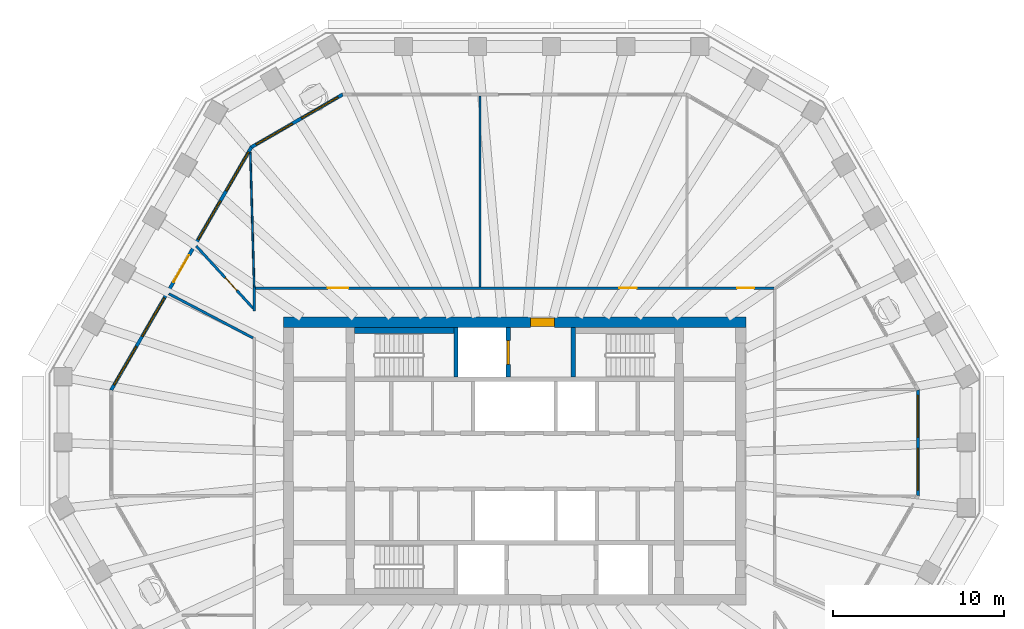
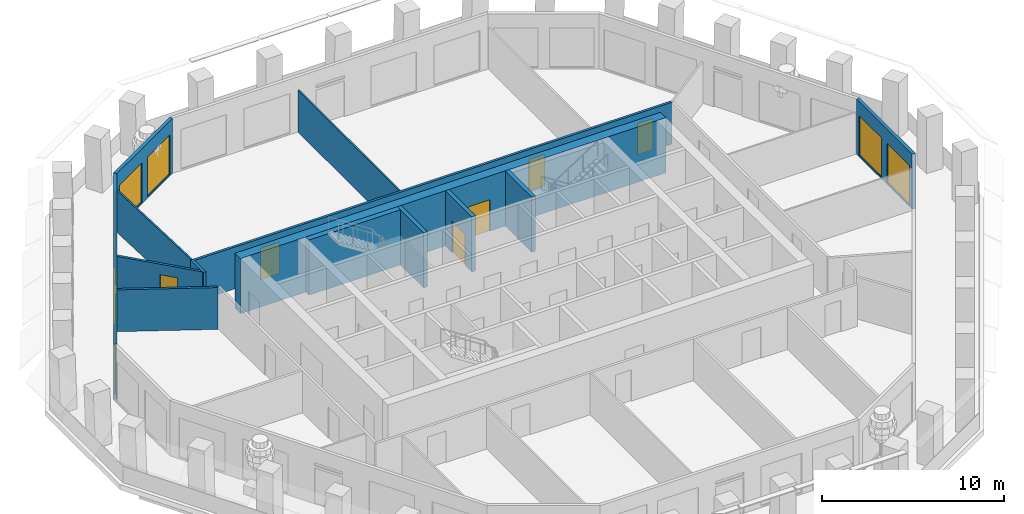
# One storey, part 7 of 12: 14 walls, 9 windows, 7 doors, 16 openings.
"""IFC4 building model written with IfcOpenShell, lengths in metres."""

from ifc_helpers import new_model, si_unit, direction, frame, frame_2d, origin, place, context, subcontext, project, spatial, polyline, rectangle, outline, extrude, material, layer, layer_set, type_object, element, fill, save


model = new_model("IFC4")

# Units and contexts
model_context = context("Model", 3, precision=1e-05, world=origin(), true_north=direction((0.0, 1.0)))
body_context = subcontext(model_context, "Body", "Model", "MODEL_VIEW")
ifc_project = project(units=[si_unit("LENGTHUNIT", "METRE"), si_unit("AREAUNIT", "SQUARE_METRE"), si_unit("VOLUMEUNIT", "CUBIC_METRE"), si_unit("PLANEANGLEUNIT", "RADIAN"), si_unit("MASSUNIT", "GRAM", prefix="KILO")], contexts=[model_context])

# Site, building, storey
site_placement = place(None, origin())
site = spatial("IfcSite", under=ifc_project, at=site_placement, CompositionType="ELEMENT")
building_placement = place(site_placement, origin())
building = spatial("IfcBuilding", under=site, at=building_placement, Name="Frailejon Research Tower", CompositionType="ELEMENT")
storey_placement = place(building_placement, frame((0.0, 0.0, 245.39990234375)))
storey = spatial("IfcBuildingStorey", under=building, at=storey_placement, Name="L53", CompositionType="ELEMENT", Elevation=245.39990234375)

# Wall, opening, door
ifc_material_1 = material(Name="Concrete C60/75", Category="concrete")
ifc_layer_1 = layer(ifc_material_1, 0.60009765625)
ifc_layer_set_1 = layer_set([ifc_layer_1], Name="Core shear wall 600 C60/75")
wall_type_1 = type_object("IfcWallType", Name="Core shear wall 600 C60/75", PredefinedType="SHEAR", material=ifc_layer_set_1)
wall_1_placement = place(storey_placement, frame((-13.5, 8.10009765625, 0.0), z_axis=(0.0, 0.0, 1.0), x_axis=(1.0, 0.0, 0.0)))
wall_1 = element("IfcWall", 1, at=wall_1_placement, inside=storey, type_object=wall_type_1, Name="Core shear wall", PredefinedType="SHEAR", context=body_context, shape_type="SweptSolid", body=[
    extrude(rectangle(XDim=27.0, YDim=0.60009765625, at=frame_2d((13.5, 0.0))), origin(), (0.0, 0.0, 1.0), 3.7001953125),
])
opening_1_placement = place(wall_1_placement, frame((14.425048828125, 0.0, 0.0)))
opening_1 = element("IfcOpeningElement", 2, at=opening_1_placement, cuts=wall_1, Name="Opening D9", PredefinedType="OPENING", context=body_context, shape_type="SweptSolid", body=[
    extrude(rectangle(XDim=1.39990234375, YDim=2.10009765625, at=frame_2d((0.699951171875, 1.050048828125))), frame((0.0, 0.31005859375, 0.0), z_axis=(0.0, -1.0, 0.0), x_axis=(1.0, 0.0, 0.0)), (0.0, 0.0, 1.0), 0.6201171875),
])
ifc_material_2 = material(Name="Steel", Category="steel")
door_type_1 = type_object("IfcDoorType", Name="Goods lobby door", OperationType="DOUBLE_DOOR_SINGLE_SWING", PredefinedType="DOOR", material=ifc_material_2)
door_1_placement = place(opening_1_placement, origin())
door_1 = element("IfcDoor", 3, at=door_1_placement, inside=storey, type_object=door_type_1, Name="Goods lobby door", OperationType="DOUBLE_DOOR_SINGLE_SWING", OverallHeight=2.10009765625, OverallWidth=1.39990234375, PredefinedType="DOOR", context=body_context, shape_type="SweptSolid", body=[
    extrude(rectangle(XDim=1.39990234375, YDim=2.10009765625, at=frame_2d((0.699951171875, 1.050048828125))), frame((0.0, 0.25, 0.0), z_axis=(0.0, -1.0, 0.0), x_axis=(1.0, 0.0, 0.0)), (0.0, 0.0, 1.0), 0.5),
])
fill(opening_1, door_1)

ifc_material_3 = material(Name="Gypsum board and masonry partition", Category="masonry")
ifc_layer_2 = layer(ifc_material_3, 0.14990234375)
ifc_layer_set_2 = layer_set([ifc_layer_2], Name="Corridor wall EI 60, gypsum on steel studs 150")
wall_type_2 = type_object("IfcWallType", Name="Corridor wall EI 60, gypsum on steel studs 150", PredefinedType="PARTITIONING", material=ifc_layer_set_2)
wall_2_placement = place(storey_placement, frame((-18.58203125, 12.552001953125, 0.0), z_axis=(0.0, 0.0, 1.0), x_axis=(0.674506078273, -0.738269293939, 0.0)))
wall_2 = element("IfcWall", 4, at=wall_2_placement, inside=storey, type_object=wall_type_2, Name="T:IW:L53:001", PredefinedType="PARTITIONING", context=body_context, shape_type="SweptSolid", body=[
    extrude(rectangle(XDim=4.939208984375, YDim=0.14990234375, at=frame_2d((2.4697265625, 0.0))), origin(), (0.0, 0.0, 1.0), 2.800048828125),
])
opening_2_placement = place(wall_2_placement, frame((2.504150390625, 0.0, 0.0)))
opening_2 = element("IfcOpeningElement", 5, at=opening_2_placement, cuts=wall_2, Name="Opening D2041", PredefinedType="OPENING", context=body_context, shape_type="SweptSolid", body=[
    extrude(rectangle(XDim=1.0, YDim=2.10009765625, at=frame_2d((0.5, 1.050048828125))), frame((0.0, 0.0849609375, 0.0), z_axis=(0.0, -1.0, 0.0), x_axis=(1.0, 0.0, 0.0)), (0.0, 0.0, 1.0), 0.169921875),
])
ifc_material_4 = material(Name="Timber door leaf", Category="wood")
door_type_2 = type_object("IfcDoorType", Name="Door single leaf, timber, steel frame 1000", OperationType="NOTDEFINED", PredefinedType="DOOR", material=ifc_material_4)
door_2_placement = place(opening_2_placement, origin())
door_2 = element("IfcDoor", 6, at=door_2_placement, inside=storey, type_object=door_type_2, Name="D2041", OperationType="SINGLE_SWING_RIGHT", OverallHeight=2.10009765625, OverallWidth=1.0, PredefinedType="DOOR", context=body_context, shape_type="SweptSolid", body=[
    extrude(rectangle(XDim=1.0, YDim=2.10009765625, at=frame_2d((0.5, 1.050048828125))), frame((0.0, 0.02490234375, 0.0), z_axis=(0.0, -1.0, 0.0), x_axis=(1.0, 0.0, 0.0)), (0.0, 0.0, 1.0), 0.050048828125),
])
fill(opening_2, door_2)

# Wall
wall_3_placement = place(storey_placement, frame((-20.18896484375, 9.768798828125, 0.0), z_axis=(0.0, 0.0, 1.0), x_axis=(0.885426366371, -0.464779678702, 0.0)))
element("IfcWall", 7, at=wall_3_placement, inside=storey, type_object=wall_type_2, Name="T:IW:L53:002", PredefinedType="PARTITIONING", context=body_context, shape_type="SweptSolid", body=[
    extrude(rectangle(XDim=5.5595703125, YDim=0.14990234375, at=frame_2d((2.77978515625, 0.0))), origin(), (0.0, 0.0, 1.0), 2.800048828125),
])

# Wall, openings, doors
wall_4_placement = place(storey_placement, frame((-15.125, 10.10009765625, 0.0), z_axis=(0.0, 0.0, 1.0), x_axis=(1.0, 0.0, 0.0)))
wall_4 = element("IfcWall", 8, at=wall_4_placement, inside=storey, type_object=wall_type_2, Name="T:IW:L53:005", PredefinedType="PARTITIONING", context=body_context, shape_type="SweptSolid", body=[
    extrude(rectangle(XDim=30.27490234375, YDim=0.14990234375, at=frame_2d((15.137451171875, 0.0))), origin(), (0.0, 0.0, 1.0), 2.800048828125),
])
opening_3_placement = place(wall_4_placement, frame((28.115966796875, 0.0, 0.0)))
opening_3 = element("IfcOpeningElement", 9, at=opening_3_placement, cuts=wall_4, Name="Opening D2038", PredefinedType="OPENING", context=body_context, shape_type="SweptSolid", body=[
    extrude(rectangle(XDim=1.0, YDim=2.10009765625, at=frame_2d((0.5, 1.050048828125))), frame((0.0, 0.0849609375, 0.0), z_axis=(0.0, -1.0, 0.0), x_axis=(1.0, 0.0, 0.0)), (0.0, 0.0, 1.0), 0.169921875),
])
opening_4_placement = place(wall_4_placement, frame((21.244384765625, 0.0, 0.0)))
opening_4 = element("IfcOpeningElement", 10, at=opening_4_placement, cuts=wall_4, Name="Opening D2039", PredefinedType="OPENING", context=body_context, shape_type="SweptSolid", body=[
    extrude(rectangle(XDim=1.0, YDim=2.10009765625, at=frame_2d((0.5, 1.050048828125))), frame((0.0, 0.0849609375, 0.0), z_axis=(0.0, -1.0, 0.0), x_axis=(1.0, 0.0, 0.0)), (0.0, 0.0, 1.0), 0.169921875),
])
opening_5_placement = place(wall_4_placement, frame((4.2255859375, 0.0, 0.0)))
opening_5 = element("IfcOpeningElement", 11, at=opening_5_placement, cuts=wall_4, Name="Opening D2040", PredefinedType="OPENING", context=body_context, shape_type="SweptSolid", body=[
    extrude(rectangle(XDim=1.199951171875, YDim=2.10009765625, at=frame_2d((0.60009765625, 1.050048828125))), frame((0.0, 0.0849609375, 0.0), z_axis=(0.0, -1.0, 0.0), x_axis=(1.0, 0.0, 0.0)), (0.0, 0.0, 1.0), 0.169921875),
])
door_3_placement = place(opening_3_placement, origin())
door_3 = element("IfcDoor", 12, at=door_3_placement, inside=storey, type_object=door_type_2, Name="D2038", OperationType="SINGLE_SWING_LEFT", OverallHeight=2.10009765625, OverallWidth=1.0, PredefinedType="DOOR", context=body_context, shape_type="SweptSolid", body=[
    extrude(rectangle(XDim=1.0, YDim=2.10009765625, at=frame_2d((0.5, 1.050048828125))), frame((0.0, 0.02490234375, 0.0), z_axis=(0.0, -1.0, 0.0), x_axis=(1.0, 0.0, 0.0)), (0.0, 0.0, 1.0), 0.050048828125),
])
fill(opening_3, door_3)
door_4_placement = place(opening_4_placement, origin())
door_4 = element("IfcDoor", 13, at=door_4_placement, inside=storey, type_object=door_type_2, Name="D2039", OperationType="SINGLE_SWING_LEFT", OverallHeight=2.10009765625, OverallWidth=1.0, PredefinedType="DOOR", context=body_context, shape_type="SweptSolid", body=[
    extrude(rectangle(XDim=1.0, YDim=2.10009765625, at=frame_2d((0.5, 1.050048828125))), frame((0.0, 0.02490234375, 0.0), z_axis=(0.0, -1.0, 0.0), x_axis=(1.0, 0.0, 0.0)), (0.0, 0.0, 1.0), 0.050048828125),
])
fill(opening_4, door_4)
ifc_material_5 = material(Name="Timber door leaf", Category="wood")
door_type_3 = type_object("IfcDoorType", Name="Door single leaf, timber, steel frame 1200", OperationType="NOTDEFINED", PredefinedType="DOOR", material=ifc_material_5)
door_5_placement = place(opening_5_placement, origin())
door_5 = element("IfcDoor", 14, at=door_5_placement, inside=storey, type_object=door_type_3, Name="D2040", OperationType="DOUBLE_DOOR_SINGLE_SWING", OverallHeight=2.10009765625, OverallWidth=1.199951171875, PredefinedType="DOOR", context=body_context, shape_type="SweptSolid", body=[
    extrude(rectangle(XDim=1.199951171875, YDim=2.10009765625, at=frame_2d((0.60009765625, 1.050048828125))), frame((0.0, 0.02490234375, 0.0), z_axis=(0.0, -1.0, 0.0), x_axis=(1.0, 0.0, 0.0)), (0.0, 0.0, 1.0), 0.050048828125),
])
fill(opening_5, door_5)

# Walls
wall_5_placement = place(storey_placement, frame((-15.199951171875, 8.77490234375, 0.0), z_axis=(0.0, 0.0, 1.0), x_axis=(0.0, 1.0, 0.0)))
element("IfcWall", 15, at=wall_5_placement, inside=storey, type_object=wall_type_2, Name="T:IW:L53:007", PredefinedType="PARTITIONING", context=body_context, shape_type="SweptSolid", body=[
    extrude(rectangle(XDim=1.400146484375, YDim=0.14990234375, at=frame_2d((0.7001953125, 0.0))), origin(), (0.0, 0.0, 1.0), 2.800048828125),
])
ifc_material_6 = material(Name="Gypsum board and masonry partition", Category="masonry")
ifc_layer_3 = layer(ifc_material_6, 0.10009765625)
ifc_layer_set_3 = layer_set([ifc_layer_3], Name="Partition, gypsum on steel studs 100")
wall_type_3 = type_object("IfcWallType", Name="Partition, gypsum on steel studs 100", PredefinedType="PARTITIONING", material=ifc_layer_set_3)
wall_6_placement = place(storey_placement, frame((-2.0126953125, 10.175048828125, 0.0), z_axis=(0.0, 0.0, 1.0), x_axis=(0.0, 1.0, 0.0)))
element("IfcWall", 16, at=wall_6_placement, inside=storey, type_object=wall_type_3, Name="T:IW:L53:018", PredefinedType="PARTITIONING", context=body_context, shape_type="SweptSolid", body=[
    extrude(rectangle(XDim=11.125, YDim=0.10009765625, at=frame_2d((5.5625, 0.0))), origin(), (0.0, 0.0, 1.0), 2.800048828125),
])
wall_7_placement = place(storey_placement, frame((-15.427490234375, 18.015625, 0.0), z_axis=(0.0, 0.0, 1.0), x_axis=(0.028738506964, -0.999586963809, 0.0)))
element("IfcWall", 17, at=wall_7_placement, inside=storey, type_object=wall_type_3, Name="T:IW:L53:019", PredefinedType="PARTITIONING", context=body_context, shape_type="SweptSolid", body=[
    extrude(rectangle(XDim=7.994140625, YDim=0.10009765625, at=frame_2d((3.9970703125, 0.0))), origin(), (0.0, 0.0, 1.0), 2.800048828125),
])
ifc_material_7 = material(Name="Concrete C60/75", Category="concrete")
ifc_layer_4 = layer(ifc_material_7, 0.25)
ifc_layer_set_4 = layer_set([ifc_layer_4], Name="Shaft wall 250 C60/75")
wall_type_4 = type_object("IfcWallType", Name="Shaft wall 250 C60/75", PredefinedType="SOLIDWALL", material=ifc_layer_set_4)
wall_8_placement = place(storey_placement, frame((-3.425048828125, 4.89990234375, 0.0), z_axis=(0.0, 0.0, 1.0), x_axis=(0.0, 1.0, 0.0)))
element("IfcWall", 18, at=wall_8_placement, inside=storey, type_object=wall_type_4, Name="Shaft wall", PredefinedType="SOLIDWALL", context=body_context, shape_type="SweptSolid", body=[
    extrude(rectangle(XDim=2.900146484375, YDim=0.25, at=frame_2d((1.4501953125, 0.0))), origin(), (0.0, 0.0, 1.0), 3.7001953125),
])

# Wall, opening, door
wall_9_placement = place(storey_placement, frame((-0.375, 4.89990234375, 0.0), z_axis=(0.0, 0.0, 1.0), x_axis=(0.0, 1.0, 0.0)))
wall_9 = element("IfcWall", 19, at=wall_9_placement, inside=storey, type_object=wall_type_4, Name="Shaft wall", PredefinedType="SOLIDWALL", context=body_context, shape_type="SweptSolid", body=[
    extrude(rectangle(XDim=2.900146484375, YDim=0.25, at=frame_2d((1.4501953125, 0.0))), origin(), (0.0, 0.0, 1.0), 3.7001953125),
])
opening_6_placement = place(wall_9_placement, frame((0.75, 0.0, 0.0)))
opening_6 = element("IfcOpeningElement", 20, at=opening_6_placement, cuts=wall_9, Name="Opening LD2", PredefinedType="OPENING", context=body_context, shape_type="SweptSolid", body=[
    extrude(rectangle(XDim=1.39990234375, YDim=2.10009765625, at=frame_2d((0.699951171875, 1.050048828125))), frame((0.0, 0.135009765625, 0.0), z_axis=(0.0, -1.0, 0.0), x_axis=(1.0, 0.0, 0.0)), (0.0, 0.0, 1.0), 0.27001953125),
])
ifc_material_8 = material(Name="Stainless steel", Category="steel")
door_type_4 = type_object("IfcDoorType", Name="Goods landing door", OperationType="DOUBLE_DOOR_SLIDING", PredefinedType="DOOR", material=ifc_material_8)
door_6_placement = place(opening_6_placement, origin())
door_6 = element("IfcDoor", 21, at=door_6_placement, inside=storey, type_object=door_type_4, Name="Lift landing door", OperationType="DOUBLE_DOOR_SLIDING", OverallHeight=2.10009765625, OverallWidth=1.39990234375, PredefinedType="DOOR", context=body_context, shape_type="SweptSolid", body=[
    extrude(rectangle(XDim=1.39990234375, YDim=2.10009765625, at=frame_2d((0.699951171875, 1.050048828125))), frame((0.0, 0.074951171875, 0.0), z_axis=(0.0, -1.0, 0.0), x_axis=(1.0, 0.0, 0.0)), (0.0, 0.0, 1.0), 0.14990234375),
])
fill(opening_6, door_6)

# Walls
wall_10_placement = place(storey_placement, frame((3.425048828125, 4.89990234375, 0.0), z_axis=(0.0, 0.0, 1.0), x_axis=(0.0, 1.0, 0.0)))
element("IfcWall", 22, at=wall_10_placement, inside=storey, type_object=wall_type_4, Name="Shaft wall", PredefinedType="SOLIDWALL", context=body_context, shape_type="SweptSolid", body=[
    extrude(rectangle(XDim=2.900146484375, YDim=0.25, at=frame_2d((1.4501953125, 0.0))), origin(), (0.0, 0.0, 1.0), 3.7001953125),
])
ifc_material_9 = material(Name="Concrete C60/75", Category="concrete")
ifc_layer_5 = layer(ifc_material_9, 0.35009765625)
ifc_layer_set_5 = layer_set([ifc_layer_5], Name="Shaft wall 350 C60/75")
wall_type_5 = type_object("IfcWallType", Name="Shaft wall 350 C60/75", PredefinedType="SOLIDWALL", material=ifc_layer_set_5)
wall_11_placement = place(storey_placement, frame((-9.35009765625, 7.625, 0.0), z_axis=(0.0, 0.0, 1.0), x_axis=(1.0, 0.0, 0.0)))
element("IfcWall", 23, at=wall_11_placement, inside=storey, type_object=wall_type_5, Name="Shaft wall", PredefinedType="SOLIDWALL", context=body_context, shape_type="SweptSolid", body=[
    extrude(rectangle(XDim=5.800048828125, YDim=0.35009765625, at=frame_2d((2.89990234375, 0.0))), origin(), (0.0, 0.0, 1.0), 3.7001953125),
])

# Wall, openings, windows
ifc_material_10 = material(Name="Concrete C40/50 precast window wall panel", Category="concrete")
ifc_layer_6 = layer(ifc_material_10, 0.199951171875)
ifc_layer_set_6 = layer_set([ifc_layer_6], Name="Window wall 200")
wall_type_6 = type_object("IfcWallType", Name="Window wall 200", PredefinedType="SOLIDWALL", material=ifc_layer_set_6)
wall_12_placement = place(storey_placement, frame((23.55126953125, -2.008056640625, 0.0), z_axis=(0.0, 0.0, 1.0), x_axis=(0.0, 1.0, 0.0)))
wall_12 = element("IfcWall", 24, at=wall_12_placement, inside=storey, type_object=wall_type_6, Name="Exterior wall L53", PredefinedType="SOLIDWALL", context=body_context, shape_type="SweptSolid", body=[
    extrude(outline(polyline([(-0.02685546875, -0.10009765625), (1.007568359375, -0.10009765625), (2.0419921875, -0.10009765625), (3.07666015625, -0.10009765625), (4.111083984375, -0.10009765625), (5.1455078125, -0.10009765625), (6.179931640625, -0.10009765625), (6.126220703125, 0.10009765625), (5.109619140625, 0.10009765625), (4.093017578125, 0.10009765625), (3.07666015625, 0.10009765625), (2.06005859375, 0.10009765625), (1.04345703125, 0.10009765625), (0.02685546875, 0.10009765625), (-0.02685546875, -0.10009765625)])), origin(), (0.0, 0.0, 1.0), 3.7001953125),
])
opening_7_placement = place(wall_12_placement, frame((0.313232421875, 0.0, 0.10009765625)))
opening_7 = element("IfcOpeningElement", 25, at=opening_7_placement, cuts=wall_12, Name="Opening W17", PredefinedType="OPENING", context=body_context, shape_type="SweptSolid", body=[
    extrude(rectangle(XDim=2.449951171875, YDim=2.64990234375, at=frame_2d((1.22509765625, 1.324951171875))), frame((0.0, 0.10986328125, 0.0), z_axis=(0.0, -1.0, 0.0), x_axis=(1.0, 0.0, 0.0)), (0.0, 0.0, 1.0), 0.219970703125),
])
opening_8_placement = place(wall_12_placement, frame((3.3896484375, 0.0, 0.10009765625)))
opening_8 = element("IfcOpeningElement", 26, at=opening_8_placement, cuts=wall_12, Name="Opening W17", PredefinedType="OPENING", context=body_context, shape_type="SweptSolid", body=[
    extrude(rectangle(XDim=2.449951171875, YDim=2.64990234375, at=frame_2d((1.22509765625, 1.324951171875))), frame((0.0, 0.10986328125, 0.0), z_axis=(0.0, -1.0, 0.0), x_axis=(1.0, 0.0, 0.0)), (0.0, 0.0, 1.0), 0.219970703125),
])
ifc_material_11 = material(Name="Aluminium framed double glazing", Category="aluminium")
window_type_1 = type_object("IfcWindowType", Name="Window 2450x2650", PartitioningType="SINGLE_PANEL", PredefinedType="WINDOW", material=ifc_material_11)
window_1_placement = place(opening_7_placement, origin())
window_1 = element("IfcWindow", 27, at=window_1_placement, inside=storey, type_object=window_type_1, Name="Window L53", OverallHeight=2.64990234375, OverallWidth=2.449951171875, PartitioningType="SINGLE_PANEL", PredefinedType="WINDOW", context=body_context, shape_type="SweptSolid", body=[
    extrude(rectangle(XDim=2.449951171875, YDim=2.64990234375, at=frame_2d((1.22509765625, 1.324951171875))), frame((0.0, 0.030029296875, 0.0), z_axis=(0.0, -1.0, 0.0), x_axis=(1.0, 0.0, 0.0)), (0.0, 0.0, 1.0), 0.06005859375),
])
fill(opening_7, window_1)
window_2_placement = place(opening_8_placement, origin())
window_2 = element("IfcWindow", 28, at=window_2_placement, inside=storey, type_object=window_type_1, Name="Window L53", OverallHeight=2.64990234375, OverallWidth=2.449951171875, PartitioningType="SINGLE_PANEL", PredefinedType="WINDOW", context=body_context, shape_type="SweptSolid", body=[
    extrude(rectangle(XDim=2.449951171875, YDim=2.64990234375, at=frame_2d((1.22509765625, 1.324951171875))), frame((0.0, 0.030029296875, 0.0), z_axis=(0.0, -1.0, 0.0), x_axis=(1.0, 0.0, 0.0)), (0.0, 0.0, 1.0), 0.06005859375),
])
fill(opening_8, window_2)

wall_13_placement = place(storey_placement, frame((-10.03662109375, 21.39990234375, 0.0), z_axis=(0.0, 0.0, 1.0), x_axis=(-0.866029647142, -0.499992650217, 0.0)))
wall_13 = element("IfcWall", 29, at=wall_13_placement, inside=storey, type_object=wall_type_6, Name="Exterior wall L53", PredefinedType="SOLIDWALL", context=body_context, shape_type="SweptSolid", body=[
    extrude(outline(polyline([(-0.02685546875, -0.10009765625), (1.007568359375, -0.10009765625), (2.0419921875, -0.10009765625), (3.076416015625, -0.10009765625), (4.11083984375, -0.10009765625), (5.145263671875, -0.10009765625), (6.1796875, -0.10009765625), (6.1259765625, 0.10009765625), (5.109375, 0.10009765625), (4.093017578125, 0.10009765625), (3.076416015625, 0.10009765625), (2.059814453125, 0.10009765625), (1.04345703125, 0.10009765625), (0.02685546875, 0.10009765625), (-0.02685546875, -0.10009765625)])), origin(), (0.0, 0.0, 1.0), 3.7001953125),
])
opening_9_placement = place(wall_13_placement, frame((0.313232421875, 0.0, 0.10009765625)))
opening_9 = element("IfcOpeningElement", 30, at=opening_9_placement, cuts=wall_13, Name="Opening W17", PredefinedType="OPENING", context=body_context, shape_type="SweptSolid", body=[
    extrude(rectangle(XDim=2.449951171875, YDim=2.64990234375, at=frame_2d((1.22509765625, 1.324951171875))), frame((0.0, 0.10986328125, 0.0), z_axis=(0.0, -1.0, 0.0), x_axis=(1.0, 0.0, 0.0)), (0.0, 0.0, 1.0), 0.219970703125),
])
opening_10_placement = place(wall_13_placement, frame((3.3896484375, 0.0, 0.10009765625)))
opening_10 = element("IfcOpeningElement", 31, at=opening_10_placement, cuts=wall_13, Name="Opening W17", PredefinedType="OPENING", context=body_context, shape_type="SweptSolid", body=[
    extrude(rectangle(XDim=2.449951171875, YDim=2.64990234375, at=frame_2d((1.22509765625, 1.324951171875))), frame((0.0, 0.10986328125, 0.0), z_axis=(0.0, -1.0, 0.0), x_axis=(1.0, 0.0, 0.0)), (0.0, 0.0, 1.0), 0.219970703125),
])
window_3_placement = place(opening_9_placement, origin())
window_3 = element("IfcWindow", 32, at=window_3_placement, inside=storey, type_object=window_type_1, Name="Window L53", OverallHeight=2.64990234375, OverallWidth=2.449951171875, PartitioningType="SINGLE_PANEL", PredefinedType="WINDOW", context=body_context, shape_type="SweptSolid", body=[
    extrude(rectangle(XDim=2.449951171875, YDim=2.64990234375, at=frame_2d((1.22509765625, 1.324951171875))), frame((0.0, 0.030029296875, 0.0), z_axis=(0.0, -1.0, 0.0), x_axis=(1.0, 0.0, 0.0)), (0.0, 0.0, 1.0), 0.06005859375),
])
fill(opening_9, window_3)
window_4_placement = place(opening_10_placement, origin())
window_4 = element("IfcWindow", 33, at=window_4_placement, inside=storey, type_object=window_type_1, Name="Window L53", OverallHeight=2.64990234375, OverallWidth=2.449951171875, PartitioningType="SINGLE_PANEL", PredefinedType="WINDOW", context=body_context, shape_type="SweptSolid", body=[
    extrude(rectangle(XDim=2.449951171875, YDim=2.64990234375, at=frame_2d((1.22509765625, 1.324951171875))), frame((0.0, 0.030029296875, 0.0), z_axis=(0.0, -1.0, 0.0), x_axis=(1.0, 0.0, 0.0)), (0.0, 0.0, 1.0), 0.06005859375),
])
fill(opening_10, window_4)

# Wall, openings, door, windows
wall_14_placement = place(storey_placement, frame((-15.365234375, 18.323486328125, 0.0), z_axis=(0.0, 0.0, 1.0), x_axis=(-0.500004284815, -0.866022929931, 0.0)))
wall_14 = element("IfcWall", 34, at=wall_14_placement, inside=storey, type_object=wall_type_6, Name="Exterior wall L53", PredefinedType="SOLIDWALL", context=body_context, shape_type="SweptSolid", body=[
    extrude(outline(polyline([(-0.02685546875, -0.10009765625), (0.999755859375, -0.10009765625), (2.0263671875, -0.10009765625), (3.052978515625, -0.10009765625), (4.07958984375, -0.10009765625), (5.106201171875, -0.10009765625), (6.1328125, -0.10009765625), (7.159423828125, -0.10009765625), (8.18603515625, -0.10009765625), (9.21240234375, -0.10009765625), (10.239013671875, -0.10009765625), (11.265625, -0.10009765625), (12.292236328125, -0.10009765625), (13.31884765625, -0.10009765625), (14.345458984375, -0.10009765625), (15.3720703125, -0.10009765625), (16.398681640625, -0.10009765625), (16.344970703125, 0.10009765625), (15.3251953125, 0.10009765625), (14.30517578125, 0.10009765625), (13.285400390625, 0.10009765625), (12.265380859375, 0.10009765625), (11.24560546875, 0.10009765625), (10.2255859375, 0.10009765625), (9.205810546875, 0.10009765625), (8.18603515625, 0.10009765625), (7.166015625, 0.10009765625), (6.146240234375, 0.10009765625), (5.126220703125, 0.10009765625), (4.1064453125, 0.10009765625), (3.08642578125, 0.10009765625), (2.066650390625, 0.10009765625), (1.046630859375, 0.10009765625), (0.02685546875, 0.10009765625), (-0.02685546875, -0.10009765625)])), origin(), (0.0, 0.0, 1.0), 3.7001953125),
])
opening_11_placement = place(wall_14_placement, frame((0.337158203125, 0.0, 0.10009765625)))
opening_11 = element("IfcOpeningElement", 35, at=opening_11_placement, cuts=wall_14, Name="Opening W18", PredefinedType="OPENING", context=body_context, shape_type="SweptSolid", body=[
    extrude(rectangle(XDim=2.60009765625, YDim=2.64990234375, at=frame_2d((1.300048828125, 1.324951171875))), frame((0.0, 0.10986328125, 0.0), z_axis=(0.0, -1.0, 0.0), x_axis=(1.0, 0.0, 0.0)), (0.0, 0.0, 1.0), 0.219970703125),
])
opening_12_placement = place(wall_14_placement, frame((3.611572265625, 0.0, 0.10009765625)))
opening_12 = element("IfcOpeningElement", 36, at=opening_12_placement, cuts=wall_14, Name="Opening W18", PredefinedType="OPENING", context=body_context, shape_type="SweptSolid", body=[
    extrude(rectangle(XDim=2.60009765625, YDim=2.64990234375, at=frame_2d((1.300048828125, 1.324951171875))), frame((0.0, 0.10986328125, 0.0), z_axis=(0.0, -1.0, 0.0), x_axis=(1.0, 0.0, 0.0)), (0.0, 0.0, 1.0), 0.219970703125),
])
opening_13_placement = place(wall_14_placement, frame((7.285888671875, 0.0, 0.0)))
opening_13 = element("IfcOpeningElement", 37, at=opening_13_placement, cuts=wall_14, Name="Opening LG53-3", PredefinedType="OPENING", context=body_context, shape_type="SweptSolid", body=[
    extrude(rectangle(XDim=1.800048828125, YDim=2.39990234375, at=frame_2d((0.89990234375, 1.199951171875))), frame((0.0, 0.10986328125, 0.0), z_axis=(0.0, -1.0, 0.0), x_axis=(1.0, 0.0, 0.0)), (0.0, 0.0, 1.0), 0.219970703125),
])
opening_14_placement = place(wall_14_placement, frame((7.285888671875, 0.0, 2.550048828125)))
opening_14 = element("IfcOpeningElement", 38, at=opening_14_placement, cuts=wall_14, Name="Opening W19", PredefinedType="OPENING", context=body_context, shape_type="SweptSolid", body=[
    extrude(rectangle(XDim=1.800048828125, YDim=0.199951171875, at=frame_2d((0.89990234375, 0.10009765625))), frame((0.0, 0.10986328125, 0.0), z_axis=(0.0, -1.0, 0.0), x_axis=(1.0, 0.0, 0.0)), (0.0, 0.0, 1.0), 0.219970703125),
])
opening_15_placement = place(wall_14_placement, frame((10.160400390625, 0.0, 0.10009765625)))
opening_15 = element("IfcOpeningElement", 39, at=opening_15_placement, cuts=wall_14, Name="Opening W18", PredefinedType="OPENING", context=body_context, shape_type="SweptSolid", body=[
    extrude(rectangle(XDim=2.60009765625, YDim=2.64990234375, at=frame_2d((1.300048828125, 1.324951171875))), frame((0.0, 0.10986328125, 0.0), z_axis=(0.0, -1.0, 0.0), x_axis=(1.0, 0.0, 0.0)), (0.0, 0.0, 1.0), 0.219970703125),
])
opening_16_placement = place(wall_14_placement, frame((13.434814453125, 0.0, 0.10009765625)))
opening_16 = element("IfcOpeningElement", 40, at=opening_16_placement, cuts=wall_14, Name="Opening W18", PredefinedType="OPENING", context=body_context, shape_type="SweptSolid", body=[
    extrude(rectangle(XDim=2.60009765625, YDim=2.64990234375, at=frame_2d((1.300048828125, 1.324951171875))), frame((0.0, 0.10986328125, 0.0), z_axis=(0.0, -1.0, 0.0), x_axis=(1.0, 0.0, 0.0)), (0.0, 0.0, 1.0), 0.219970703125),
])
ifc_material_12 = material(Name="Aluminium framed glazed door leaf", Category="aluminium")
door_type_5 = type_object("IfcDoorType", Name="Loggia door 1800x2400", OperationType="DOUBLE_DOOR_SINGLE_SWING", PredefinedType="DOOR", material=ifc_material_12)
door_7_placement = place(opening_13_placement, origin())
door_7 = element("IfcDoor", 41, at=door_7_placement, inside=storey, type_object=door_type_5, Name="Door LG53-3", OperationType="DOUBLE_DOOR_SINGLE_SWING", OverallHeight=2.39990234375, OverallWidth=1.800048828125, PredefinedType="DOOR", context=body_context, shape_type="SweptSolid", body=[
    extrude(rectangle(XDim=1.800048828125, YDim=2.39990234375, at=frame_2d((0.89990234375, 1.199951171875))), frame((0.0, 0.02490234375, 0.0), z_axis=(0.0, -1.0, 0.0), x_axis=(1.0, 0.0, 0.0)), (0.0, 0.0, 1.0), 0.050048828125),
])
fill(opening_13, door_7)
ifc_material_13 = material(Name="Aluminium framed double glazing", Category="aluminium")
window_type_2 = type_object("IfcWindowType", Name="Window 1800x200", PartitioningType="SINGLE_PANEL", PredefinedType="WINDOW", material=ifc_material_13)
window_5_placement = place(opening_14_placement, origin())
window_5 = element("IfcWindow", 42, at=window_5_placement, inside=storey, type_object=window_type_2, Name="Window L53", OverallHeight=0.199951171875, OverallWidth=1.800048828125, PartitioningType="SINGLE_PANEL", PredefinedType="WINDOW", context=body_context, shape_type="SweptSolid", body=[
    extrude(rectangle(XDim=1.800048828125, YDim=0.199951171875, at=frame_2d((0.89990234375, 0.10009765625))), frame((0.0, 0.030029296875, 0.0), z_axis=(0.0, -1.0, 0.0), x_axis=(1.0, 0.0, 0.0)), (0.0, 0.0, 1.0), 0.06005859375),
])
fill(opening_14, window_5)
ifc_material_14 = material(Name="Aluminium framed double glazing", Category="aluminium")
window_type_3 = type_object("IfcWindowType", Name="Window 2600x2650", PartitioningType="SINGLE_PANEL", PredefinedType="WINDOW", material=ifc_material_14)
window_6_placement = place(opening_11_placement, origin())
window_6 = element("IfcWindow", 43, at=window_6_placement, inside=storey, type_object=window_type_3, Name="Window L53", OverallHeight=2.64990234375, OverallWidth=2.60009765625, PartitioningType="SINGLE_PANEL", PredefinedType="WINDOW", context=body_context, shape_type="SweptSolid", body=[
    extrude(rectangle(XDim=2.60009765625, YDim=2.64990234375, at=frame_2d((1.300048828125, 1.324951171875))), frame((0.0, 0.030029296875, 0.0), z_axis=(0.0, -1.0, 0.0), x_axis=(1.0, 0.0, 0.0)), (0.0, 0.0, 1.0), 0.06005859375),
])
fill(opening_11, window_6)
window_7_placement = place(opening_12_placement, origin())
window_7 = element("IfcWindow", 44, at=window_7_placement, inside=storey, type_object=window_type_3, Name="Window L53", OverallHeight=2.64990234375, OverallWidth=2.60009765625, PartitioningType="SINGLE_PANEL", PredefinedType="WINDOW", context=body_context, shape_type="SweptSolid", body=[
    extrude(rectangle(XDim=2.60009765625, YDim=2.64990234375, at=frame_2d((1.300048828125, 1.324951171875))), frame((0.0, 0.030029296875, 0.0), z_axis=(0.0, -1.0, 0.0), x_axis=(1.0, 0.0, 0.0)), (0.0, 0.0, 1.0), 0.06005859375),
])
fill(opening_12, window_7)
window_8_placement = place(opening_15_placement, origin())
window_8 = element("IfcWindow", 45, at=window_8_placement, inside=storey, type_object=window_type_3, Name="Window L53", OverallHeight=2.64990234375, OverallWidth=2.60009765625, PartitioningType="SINGLE_PANEL", PredefinedType="WINDOW", context=body_context, shape_type="SweptSolid", body=[
    extrude(rectangle(XDim=2.60009765625, YDim=2.64990234375, at=frame_2d((1.300048828125, 1.324951171875))), frame((0.0, 0.030029296875, 0.0), z_axis=(0.0, -1.0, 0.0), x_axis=(1.0, 0.0, 0.0)), (0.0, 0.0, 1.0), 0.06005859375),
])
fill(opening_15, window_8)
window_9_placement = place(opening_16_placement, origin())
window_9 = element("IfcWindow", 46, at=window_9_placement, inside=storey, type_object=window_type_3, Name="Window L53", OverallHeight=2.64990234375, OverallWidth=2.60009765625, PartitioningType="SINGLE_PANEL", PredefinedType="WINDOW", context=body_context, shape_type="SweptSolid", body=[
    extrude(rectangle(XDim=2.60009765625, YDim=2.64990234375, at=frame_2d((1.300048828125, 1.324951171875))), frame((0.0, 0.030029296875, 0.0), z_axis=(0.0, -1.0, 0.0), x_axis=(1.0, 0.0, 0.0)), (0.0, 0.0, 1.0), 0.06005859375),
])
fill(opening_16, window_9)

save(model, "model.ifc")
